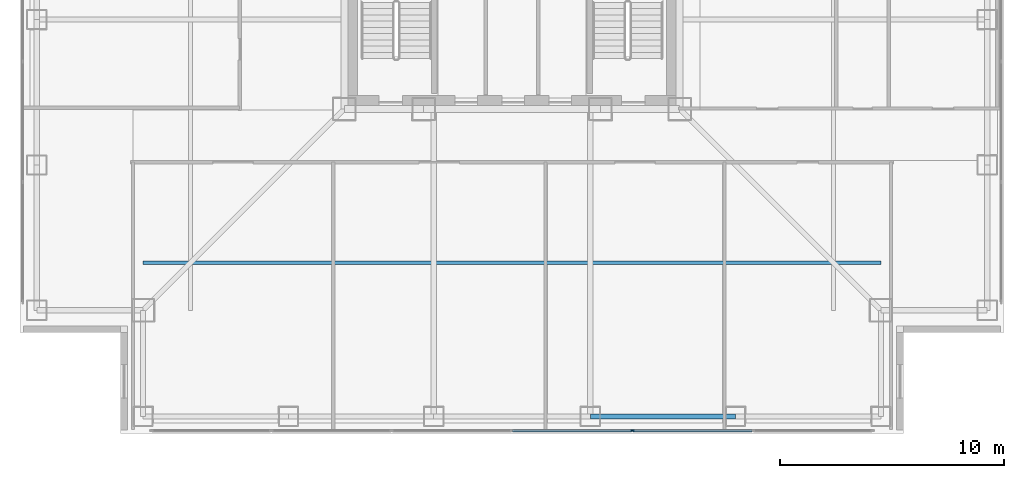
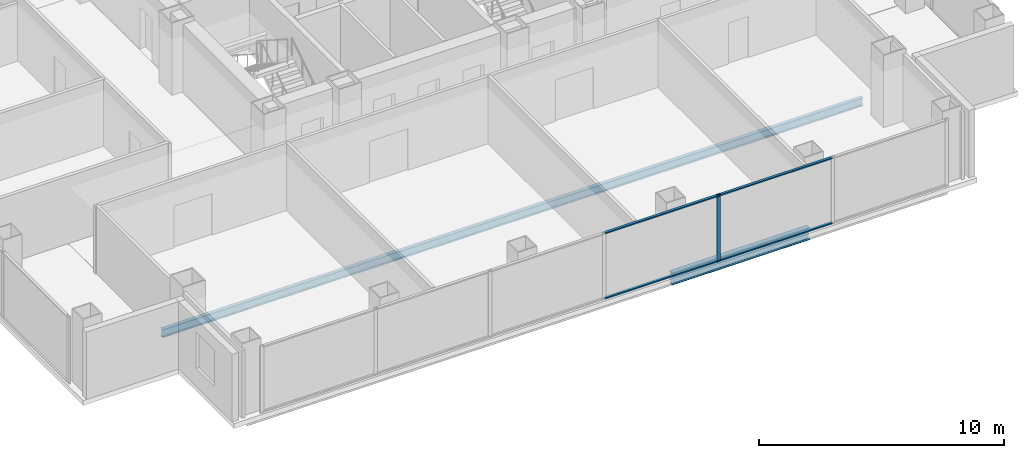
# One storey, part 3 of 17: 5 members, 2 beams, 1 element without a shape of its own.
"""IFC4 building model written with IfcOpenShell, lengths in metres."""

from ifc_helpers import new_model, si_unit, direction, frame, origin, origin_2d, place, context, subcontext, project, spatial, rectangle, i_section, extrude, material, layer, layer_set, material_profile, profile_set, type_object, element, aggregate, save


model = new_model("IFC4")

# Units and contexts
model_context = context("Model", 3, precision=1e-05, world=origin(), true_north=direction((0.0, 1.0)))
body_context = subcontext(model_context, "Body", "Model", "MODEL_VIEW")
ifc_project = project(units=[si_unit("LENGTHUNIT", "METRE"), si_unit("AREAUNIT", "SQUARE_METRE"), si_unit("VOLUMEUNIT", "CUBIC_METRE"), si_unit("PLANEANGLEUNIT", "RADIAN"), si_unit("MASSUNIT", "GRAM", prefix="KILO")], contexts=[model_context])

# Site, building, storey
site_placement = place(None, origin())
site = spatial("IfcSite", under=ifc_project, at=site_placement, CompositionType="ELEMENT")
building_placement = place(site_placement, origin())
building = spatial("IfcBuilding", under=site, at=building_placement, Name="Trevonay Congress Spire", CompositionType="ELEMENT")
storey_placement = place(building_placement, frame((0.0, 0.0, 130.0)))
storey = spatial("IfcBuildingStorey", under=building, at=storey_placement, Name="L33", CompositionType="ELEMENT", Elevation=130.0)

# Beam
ifc_material_1 = material(Name="Steel ASTM A572 Grade 50", Category="steel")
ifc_material_profile_1 = material_profile(ifc_material_1, i_section(OverallWidth=0.22802734375, OverallDepth=0.60791015625, WebThickness=0.01123046875, FlangeThickness=0.017333984375, FilletRadius=0.01611328125, at=origin_2d()), Name="W610x113")
ifc_profile_set_1 = profile_set([ifc_material_profile_1], Name="Steel ASTM A572 Grade 50")
beam_type_1 = type_object("IfcBeamType", Name="BM-RING-W610X113", PredefinedType="BEAM", material=ifc_profile_set_1)
beam_1_placement = place(storey_placement, frame((3.5, -21.25, -0.5439453125), z_axis=(1.0, 0.0, 0.0), x_axis=(0.0, 1.0, 0.0)))
element("IfcBeam", 1, at=beam_1_placement, inside=storey, type_object=beam_type_1, Name="L33 structural beam BM-L33-PS4", PredefinedType="BEAM", context=body_context, shape_type="SweptSolid", body=[
    extrude(i_section(OverallWidth=0.22802734375, OverallDepth=0.60791015625, WebThickness=0.01123046875, FlangeThickness=0.017333984375, FilletRadius=0.01611328125, at=origin_2d()), origin(), (0.0, 0.0, 1.0), 6.5),
])

# Curtain wall, members
ifc_material_2 = material(Name="Pale Anodised Aluminium EN AW-6063-T6", Category="aluminium")
ifc_layer = layer(ifc_material_2, 0.175048828125, Name="Pale Anodised Aluminium EN AW-6063-T6")
ifc_layer_set = layer_set([ifc_layer], Name="Pale Anodised Aluminium EN AW-6063-T6")
curtain_wall_type = type_object("IfcCurtainWallType", Name="CW-SYS03-CONGRESS-PALE-METAL", PredefinedType="NOTDEFINED", material=ifc_layer_set)
curtain_wall_placement = place(storey_placement, origin())
curtain_wall = element("IfcCurtainWall", 2, at=curtain_wall_placement, inside=storey, type_object=curtain_wall_type, Name="L33 S unitised curtain wall", PredefinedType="NOTDEFINED")
ifc_material_profile_2 = material_profile(ifc_material_2, rectangle(XDim=0.06005859375, YDim=0.159912109375, at=origin_2d()), Name="CW-MULLION-160-ALUMINIUM")
ifc_profile_set_2 = profile_set([ifc_material_profile_2], Name="Pale Anodised Aluminium EN AW-6063-T6")
member_type_1 = type_object("IfcMemberType", Name="CW-MULLION-160-ALUMINIUM", PredefinedType="MULLION", material=ifc_profile_set_2)
member_1_placement = place(storey_placement, frame((5.38330078125, -21.8798828125, 0.0), z_axis=(0.0, 0.0, 1.0), x_axis=(0.0, 1.0, 0.0)))
member_1 = element("IfcMember", 3, at=member_1_placement, type_object=member_type_1, Name="CW03 mullion 5", PredefinedType="MULLION", context=body_context, shape_type="SweptSolid", body=[
    extrude(rectangle(XDim=0.06005859375, YDim=0.159912109375, at=origin_2d()), origin(), (0.0, 0.0, 1.0), 3.360107421875),
])
ifc_material_profile_3 = material_profile(ifc_material_2, rectangle(XDim=0.1201171875, YDim=0.06005859375, at=origin_2d()), Name="CW-TRANSOM-120-ALUMINIUM")
ifc_profile_set_3 = profile_set([ifc_material_profile_3], Name="Pale Anodised Aluminium EN AW-6063-T6")
member_type_2 = type_object("IfcMemberType", Name="CW-TRANSOM-120-ALUMINIUM", PredefinedType="USERDEFINED", material=ifc_profile_set_3)
member_2_placement = place(storey_placement, frame((0.030029296875, -21.8798828125, 0.06005859375), z_axis=(1.0, 0.0, 0.0), x_axis=(0.0, 1.0, 0.0)))
member_2 = element("IfcMember", 4, at=member_2_placement, type_object=member_type_2, Name="CW03 transom 4.1", ObjectType="TRANSOM", PredefinedType="USERDEFINED", context=body_context, shape_type="SweptSolid", body=[
    extrude(rectangle(XDim=0.1201171875, YDim=0.06005859375, at=origin_2d()), origin(), (0.0, 0.0, 1.0), 5.3232421875),
])
member_3_placement = place(storey_placement, frame((0.030029296875, -21.8798828125, 3.300048828125), z_axis=(1.0, 0.0, 0.0), x_axis=(0.0, 1.0, 0.0)))
member_3 = element("IfcMember", 5, at=member_3_placement, type_object=member_type_2, Name="CW03 transom 4.2", ObjectType="TRANSOM", PredefinedType="USERDEFINED", context=body_context, shape_type="SweptSolid", body=[
    extrude(rectangle(XDim=0.1201171875, YDim=0.06005859375, at=origin_2d()), origin(), (0.0, 0.0, 1.0), 5.3232421875),
])
member_4_placement = place(storey_placement, frame((5.413330078125, -21.8798828125, 0.06005859375), z_axis=(1.0, 0.0, 0.0), x_axis=(0.0, 1.0, 0.0)))
member_4 = element("IfcMember", 6, at=member_4_placement, type_object=member_type_2, Name="CW03 transom 5.1", ObjectType="TRANSOM", PredefinedType="USERDEFINED", context=body_context, shape_type="SweptSolid", body=[
    extrude(rectangle(XDim=0.1201171875, YDim=0.06005859375, at=origin_2d()), origin(), (0.0, 0.0, 1.0), 5.3232421875),
])
member_5_placement = place(storey_placement, frame((5.413330078125, -21.8798828125, 3.300048828125), z_axis=(1.0, 0.0, 0.0), x_axis=(0.0, 1.0, 0.0)))
member_5 = element("IfcMember", 7, at=member_5_placement, type_object=member_type_2, Name="CW03 transom 5.2", ObjectType="TRANSOM", PredefinedType="USERDEFINED", context=body_context, shape_type="SweptSolid", body=[
    extrude(rectangle(XDim=0.1201171875, YDim=0.06005859375, at=origin_2d()), origin(), (0.0, 0.0, 1.0), 5.3232421875),
])
aggregate(curtain_wall, [member_1, member_2, member_3, member_4, member_5])

# Beam
ifc_material_profile_4 = material_profile(ifc_material_1, i_section(OverallWidth=0.177978515625, OverallDepth=0.406982421875, WebThickness=0.0078125, FlangeThickness=0.0126953125, FilletRadius=0.012939453125, at=origin_2d()), Name="W410x60")
ifc_profile_set_4 = profile_set([ifc_material_profile_4], Name="Steel ASTM A572 Grade 50")
beam_type_2 = type_object("IfcBeamType", Name="JS-COMP-W410X60", PredefinedType="JOIST", material=ifc_profile_set_4)
beam_2_placement = place(storey_placement, frame((-16.5, -14.375, -0.443603515625), z_axis=(1.0, 0.0, 0.0), x_axis=(0.0, 1.0, 0.0)))
element("IfcBeam", 8, at=beam_2_placement, inside=storey, type_object=beam_type_2, Name="L33 structural beam JS-L33-RING-S", PredefinedType="JOIST", context=body_context, shape_type="SweptSolid", body=[
    extrude(i_section(OverallWidth=0.177978515625, OverallDepth=0.406982421875, WebThickness=0.0078125, FlangeThickness=0.0126953125, FilletRadius=0.012939453125, at=origin_2d()), origin(), (0.0, 0.0, 1.0), 33.0),
])

save(model, "model.ifc")
